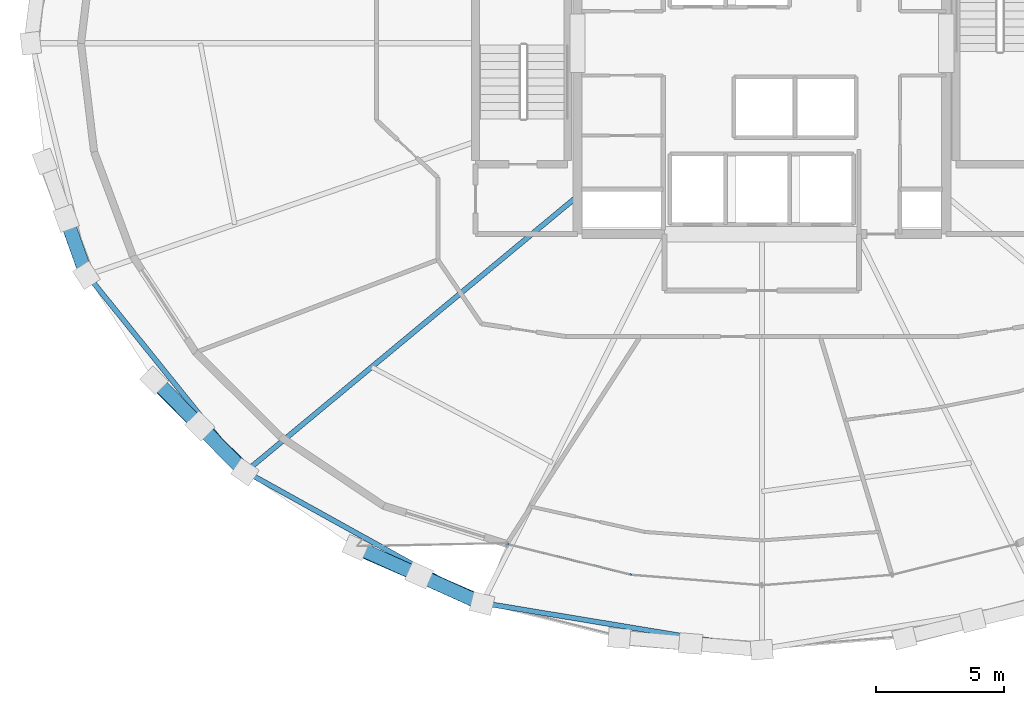
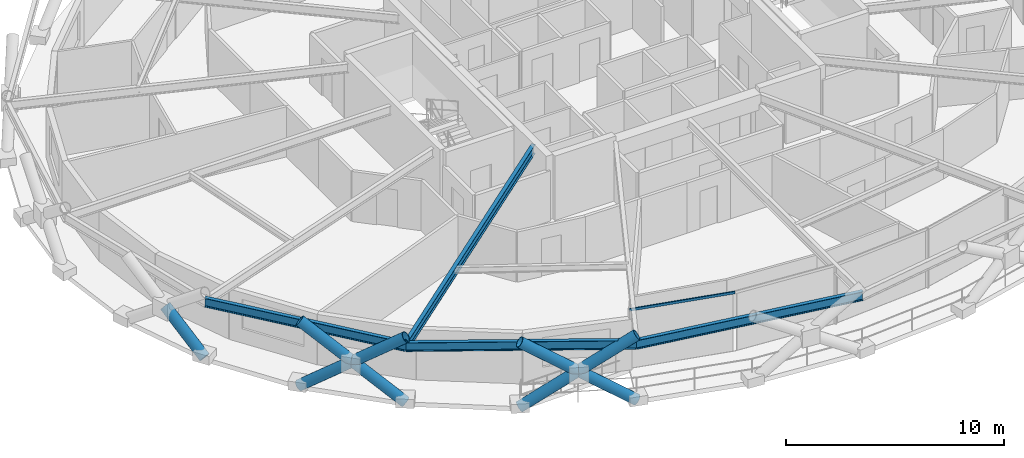
# One storey, part 1 of 20: 8 members, 4 beams, 1 element without a shape of its own.
"""IFC4 building model written with IfcOpenShell, lengths in metres."""

from ifc_helpers import new_model, si_unit, direction, frame, origin, origin_2d, place, context, subcontext, project, spatial, hollow_rectangle, hollow_circle, i_section, extrude, material, layer, layer_set, material_profile, profile_set, type_object, element, aggregate, save


model = new_model("IFC4")

# Units and contexts
model_context = context("Model", 3, precision=1e-05, world=origin(), true_north=direction((0.0, 1.0)))
body_context = subcontext(model_context, "Body", "Model", "MODEL_VIEW")
ifc_project = project(units=[si_unit("LENGTHUNIT", "METRE"), si_unit("AREAUNIT", "SQUARE_METRE"), si_unit("VOLUMEUNIT", "CUBIC_METRE"), si_unit("PLANEANGLEUNIT", "RADIAN"), si_unit("MASSUNIT", "GRAM", prefix="KILO")], contexts=[model_context])

# Site, building, storey
site_placement = place(None, origin())
site = spatial("IfcSite", under=ifc_project, at=site_placement, CompositionType="ELEMENT")
building_placement = place(site_placement, origin())
building = spatial("IfcBuilding", under=site, at=building_placement, Name="Veldorina Hangang Commons", CompositionType="ELEMENT")
storey_placement = place(building_placement, frame((0.0, 0.0, 131.60009765625)))
storey = spatial("IfcBuildingStorey", under=building, at=storey_placement, Name="L33", CompositionType="ELEMENT", Elevation=131.60009765625)

# Beams
ifc_material_1 = material(Name="Steel SM420-TMC", Category="steel")
ifc_material_profile_1 = material_profile(ifc_material_1, i_section(OverallWidth=0.199951171875, OverallDepth=0.5, WebThickness=0.010009765625, FlangeThickness=0.01611328125, FilletRadius=0.01611328125, at=origin_2d()), Name="H-500x200x10x16")
ifc_profile_set_1 = profile_set([ifc_material_profile_1], Name="Steel SM420-TMC")
beam_type_1 = type_object("IfcBeamType", Name="BM-FG500", PredefinedType="BEAM", material=ifc_profile_set_1)
beam_1_placement = place(storey_placement, frame((24.800048828125, 18.025390625, 3.099853515625), z_axis=(-0.769568516304, -0.638564247914, 0.0), x_axis=(0.638564247914, -0.769568516304, 0.0)))
element("IfcBeam", 1, at=beam_1_placement, inside=storey, type_object=beam_type_1, Name="L33 radial floor girder 11", PredefinedType="BEAM", context=body_context, shape_type="SweptSolid", body=[
    extrude(i_section(OverallWidth=0.199951171875, OverallDepth=0.5, WebThickness=0.010009765625, FlangeThickness=0.01611328125, FilletRadius=0.01611328125, at=origin_2d()), origin(), (0.0, 0.0, 1.0), 16.837646484375),
])
ifc_material_profile_2 = material_profile(ifc_material_1, i_section(OverallWidth=0.199951171875, OverallDepth=0.5, WebThickness=0.010009765625, FlangeThickness=0.01611328125, FilletRadius=0.01611328125, at=origin_2d()), Name="H-500x200x10x16")
ifc_profile_set_2 = profile_set([ifc_material_profile_2], Name="Steel SM420-TMC")
beam_type_2 = type_object("IfcBeamType", Name="BM-RB500", PredefinedType="BEAM", material=ifc_profile_set_2)
beam_2_placement = place(storey_placement, frame((5.662841796875, 14.947509765625, 3.099853515625), z_axis=(0.627178835143, -0.778875284464, 0.0), x_axis=(0.778875284464, 0.627178835143, 0.0)))
element("IfcBeam", 2, at=beam_2_placement, inside=storey, type_object=beam_type_2, Name="L33 perimeter hoop ring beam 18", PredefinedType="BEAM", context=body_context, shape_type="SweptSolid", body=[
    extrude(i_section(OverallWidth=0.199951171875, OverallDepth=0.5, WebThickness=0.010009765625, FlangeThickness=0.01611328125, FilletRadius=0.01611328125, at=origin_2d()), origin(), (0.0, 0.0, 1.0), 9.852783203125),
])
beam_3_placement = place(storey_placement, frame((11.84228515625, 7.2734375, 3.099853515625), z_axis=(0.8745642501, -0.484909653902, 0.0), x_axis=(0.484909653902, 0.8745642501, 0.0)))
element("IfcBeam", 3, at=beam_3_placement, inside=storey, type_object=beam_type_2, Name="L33 perimeter hoop ring beam 20", PredefinedType="BEAM", context=body_context, shape_type="SweptSolid", body=[
    extrude(i_section(OverallWidth=0.199951171875, OverallDepth=0.5, WebThickness=0.010009765625, FlangeThickness=0.01611328125, FilletRadius=0.01611328125, at=origin_2d()), origin(), (0.0, 0.0, 1.0), 10.574951171875),
])
beam_4_placement = place(storey_placement, frame((21.0908203125, 2.1455078125, 3.099853515625), z_axis=(0.986651699757, -0.162844783048, 0.0), x_axis=(0.162844783048, 0.986651699757, 0.0)))
element("IfcBeam", 4, at=beam_4_placement, inside=storey, type_object=beam_type_2, Name="L33 perimeter hoop ring beam 22", PredefinedType="BEAM", context=body_context, shape_type="SweptSolid", body=[
    extrude(i_section(OverallWidth=0.199951171875, OverallDepth=0.5, WebThickness=0.010009765625, FlangeThickness=0.01611328125, FilletRadius=0.01611328125, at=origin_2d()), origin(), (0.0, 0.0, 1.0), 11.056884765625),
])

# Curtain wall, member
ifc_material_2 = material(Name="Glass Low-E Triple IGU", Category="glass")
ifc_layer = layer(ifc_material_2, 0.179931640625)
ifc_layer_set = layer_set([ifc_layer], Name="Glass Low-E Triple IGU")
curtain_wall_type = type_object("IfcCurtainWallType", Name="CW-SYS-Z2", PredefinedType="NOTDEFINED", material=ifc_layer_set)
curtain_wall_placement = place(storey_placement, origin())
curtain_wall = element("IfcCurtainWall", 5, at=curtain_wall_placement, inside=storey, type_object=curtain_wall_type, Name="L33 unitised curtain wall CW-L33-R1", PredefinedType="NOTDEFINED")
ifc_material_3 = material(Name="Aluminium Anodized AA6063-T6", Category="aluminium")
ifc_material_profile_3 = material_profile(ifc_material_3, hollow_rectangle(XDim=0.06005859375, YDim=0.139892578125, WallThickness=0.00341796875, at=origin_2d()), Name="ALU-RHS-140x60x3.5")
ifc_profile_set_3 = profile_set([ifc_material_profile_3], Name="Aluminium Anodized AA6063-T6")
member_type_1 = type_object("IfcMemberType", Name="CW-TRN-140", PredefinedType="USERDEFINED", material=ifc_profile_set_3)
member_1_placement = place(storey_placement, frame((22.041259765625, 4.4501953125, 3.27001953125), z_axis=(0.970903121723, -0.239472604338, 0.0), x_axis=(0.239472604338, 0.970903121723, 0.0)))
member_1 = element("IfcMember", 6, at=member_1_placement, type_object=member_type_1, Name="CW-L33-R1 facet 1 transom 1", ObjectType="TRANSOM", PredefinedType="USERDEFINED", context=body_context, shape_type="SweptSolid", body=[
    extrude(hollow_rectangle(XDim=0.06005859375, YDim=0.139892578125, WallThickness=0.00341796875, at=origin_2d()), origin(), (0.0, 0.0, 1.0), 5.028076171875),
])
aggregate(curtain_wall, [member_1])

# Members
ifc_material_profile_4 = material_profile(ifc_material_1, hollow_circle(Radius=0.27490234375, WallThickness=0.028076171875, at=origin_2d()), Name="CHS-550x28")
ifc_profile_set_4 = profile_set([ifc_material_profile_4], Name="Steel SM420-TMC")
member_type_2 = type_object("IfcMemberType", Name="DG-CHS550", PredefinedType="BRACE", material=ifc_profile_set_4)
member_2_placement = place(storey_placement, frame((5.629150390625, 14.937744140625, 0.0), z_axis=(-0.266707282847, 0.749163908521, 0.606317296013), x_axis=(-0.942080493467, -0.335386856972, 0.0)))
element("IfcMember", 7, at=member_2_placement, inside=storey, type_object=member_type_2, Name="L33 split perimeter diagrid lower brace 18", PredefinedType="BRACE", context=body_context, shape_type="SweptSolid", body=[
    extrude(hollow_circle(Radius=0.27490234375, WallThickness=0.028076171875, at=origin_2d()), origin(), (0.0, 0.0, 1.0), 2.970458984375),
])
member_3_placement = place(storey_placement, frame((8.266845703125, 10.84375, 0.0), z_axis=(0.576913412366, -0.574946036113, 0.580179256946), x_axis=(0.705898012966, 0.708313486594, 0.0)))
element("IfcMember", 8, at=member_3_placement, inside=storey, type_object=member_type_2, Name="L33 continuous perimeter diagrid brace 19", PredefinedType="BRACE", context=body_context, shape_type="SweptSolid", body=[
    extrude(hollow_circle(Radius=0.27490234375, WallThickness=0.028076171875, at=origin_2d()), origin(), (0.0, 0.0, 1.0), 6.204833984375),
])
member_4_placement = place(storey_placement, frame((11.816650390625, 7.25537109375, 0.0), z_axis=(-0.567956707633, 0.582384258646, 0.58159586788), x_axis=(-0.715918993583, -0.698183353158, 0.0)))
element("IfcMember", 9, at=member_4_placement, inside=storey, type_object=member_type_2, Name="L33 split perimeter diagrid lower brace 20", PredefinedType="BRACE", context=body_context, shape_type="SweptSolid", body=[
    extrude(hollow_circle(Radius=0.27490234375, WallThickness=0.028076171875, at=origin_2d()), origin(), (0.0, 0.0, 1.0), 3.0966796875),
])
member_5_placement = place(storey_placement, frame((10.057861328125, 9.058837890625, 1.801025390625), z_axis=(-0.567758538567, 0.582520892115, 0.581652518377), x_axis=(-0.716122613369, -0.69797449998, 0.0)))
element("IfcMember", 10, at=member_5_placement, inside=storey, type_object=member_type_2, Name="L33 split perimeter diagrid upper brace 20", PredefinedType="BRACE", context=body_context, shape_type="SweptSolid", body=[
    extrude(hollow_circle(Radius=0.27490234375, WallThickness=0.028076171875, at=origin_2d()), origin(), (0.0, 0.0, 1.0), 3.092529296875),
])
member_6_placement = place(storey_placement, frame((16.14208984375, 4.310302734375, 0.0), z_axis=(0.762674028861, -0.332877746903, 0.554545517805), x_axis=(0.400019695762, 0.916506542804, 0.0)))
element("IfcMember", 11, at=member_6_placement, inside=storey, type_object=member_type_2, Name="L33 continuous perimeter diagrid brace 21", PredefinedType="BRACE", context=body_context, shape_type="SweptSolid", body=[
    extrude(hollow_circle(Radius=0.27490234375, WallThickness=0.028076171875, at=origin_2d()), origin(), (0.0, 0.0, 1.0), 6.491455078125),
])
member_7_placement = place(storey_placement, frame((21.076904296875, 2.1220703125, 0.0), z_axis=(-0.758072209663, 0.341456328096, 0.555638462437), x_axis=(-0.410688554058, -0.911775691475, 0.0)))
element("IfcMember", 12, at=member_7_placement, inside=storey, type_object=member_type_2, Name="L33 split perimeter diagrid lower brace 22", PredefinedType="BRACE", context=body_context, shape_type="SweptSolid", body=[
    extrude(hollow_circle(Radius=0.27490234375, WallThickness=0.028076171875, at=origin_2d()), origin(), (0.0, 0.0, 1.0), 3.24169921875),
])
member_8_placement = place(storey_placement, frame((18.619384765625, 3.22900390625, 1.80126953125), z_axis=(-0.758018562308, 0.341640044499, 0.555598721373), x_axis=(-0.410896395098, -0.911682045724, 0.0)))
element("IfcMember", 13, at=member_8_placement, inside=storey, type_object=member_type_2, Name="L33 split perimeter diagrid upper brace 22", PredefinedType="BRACE", context=body_context, shape_type="SweptSolid", body=[
    extrude(hollow_circle(Radius=0.27490234375, WallThickness=0.028076171875, at=origin_2d()), origin(), (0.0, 0.0, 1.0), 3.2373046875),
])

save(model, "model.ifc")
